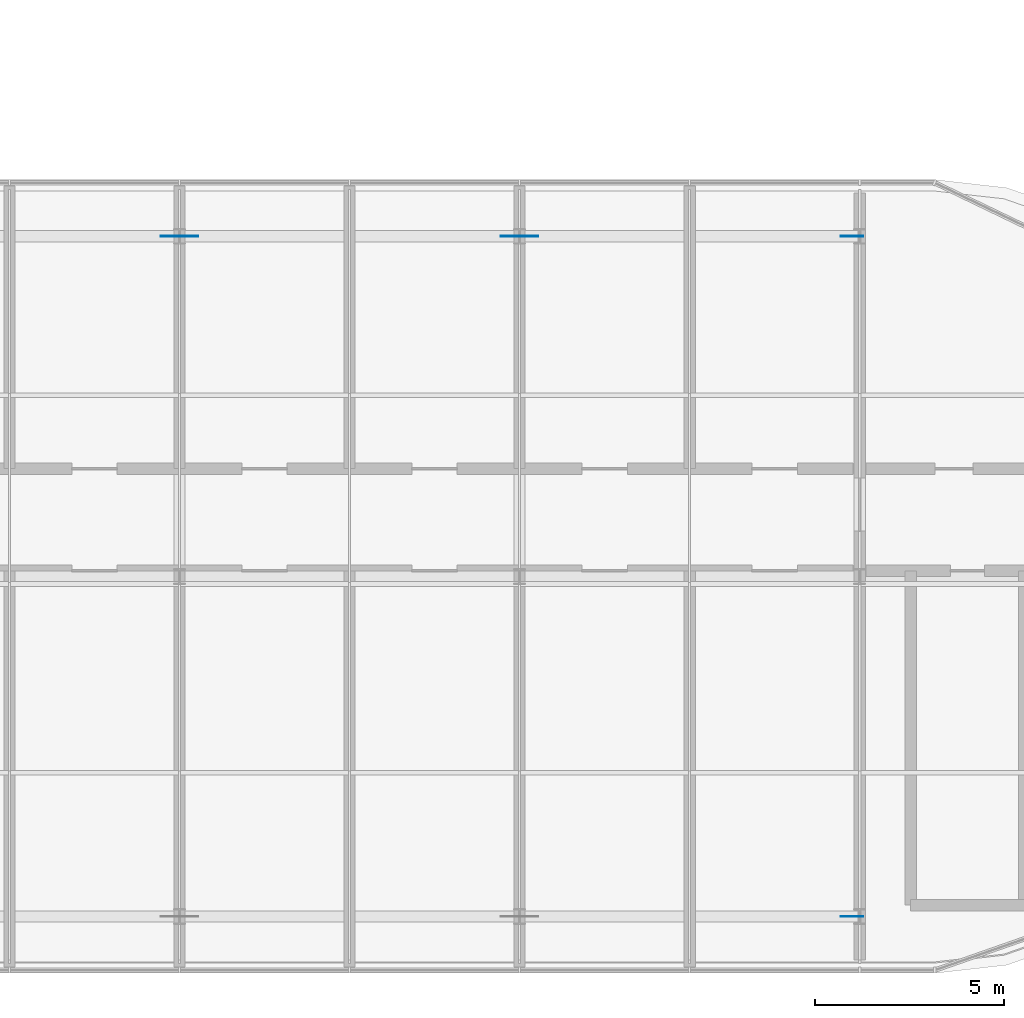
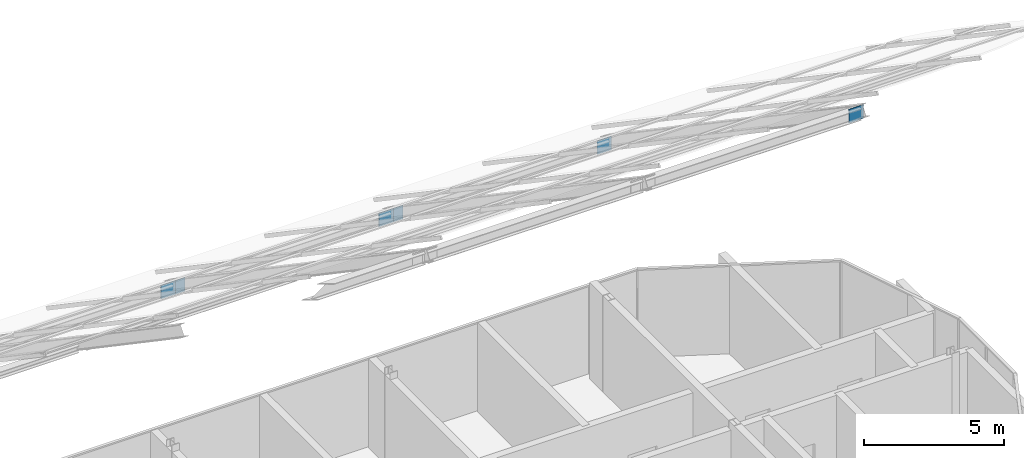
# One storey, part 24 of 25: 6 discrete accessories.
"""IFC4 building model written with IfcOpenShell, lengths in metres."""

from ifc_helpers import new_model, si_unit, direction, frame, origin, origin_2d, place, context, subcontext, project, spatial, rectangle, extrude, material, layer, layer_set, type_object, element, save


model = new_model("IFC4")

# Units and contexts
model_context = context("Model", 3, precision=1e-05, world=origin(), true_north=direction((0.0, 1.0)))
body_context = subcontext(model_context, "Body", "Model", "MODEL_VIEW")
ifc_project = project(units=[si_unit("LENGTHUNIT", "METRE"), si_unit("AREAUNIT", "SQUARE_METRE"), si_unit("VOLUMEUNIT", "CUBIC_METRE"), si_unit("PLANEANGLEUNIT", "RADIAN"), si_unit("MASSUNIT", "GRAM", prefix="KILO")], contexts=[model_context])

# Site, building, storey
site_placement = place(None, origin())
site = spatial("IfcSite", under=ifc_project, at=site_placement, CompositionType="ELEMENT")
building_placement = place(site_placement, origin())
building = spatial("IfcBuilding", under=site, at=building_placement, Name="Ogive Portal Towers", CompositionType="ELEMENT")
storey_placement = place(building_placement, frame((0.0, 0.0, 272.89990234375)))
storey = spatial("IfcBuildingStorey", under=building, at=storey_placement, Name="L66", CompositionType="ELEMENT", Elevation=272.89990234375)

# Discrete accessories
ifc_material = material(Name="Steel S355", Category="steel")
ifc_layer = layer(ifc_material, 0.02001953125)
ifc_layer_set = layer_set([ifc_layer], Name="GUSSET PLATE 600x600x20")
discrete_accessory_type = type_object("IfcDiscreteAccessoryType", Name="GUSSET PLATE 600x600x20", PredefinedType="BRACKET", material=ifc_layer_set)
for number, where, z_axis, x_axis, name in (
    (1, (85.300048828125, 21.5, 22.875), (0.0, 0.0, 1.0), (1.0, 0.0, 0.0), "Gusset plate"),
    (2, (67.300048828125, 39.5, 10.5849609375), (0.0, 0.0, 1.0), (1.0, 0.0, 0.0), "Gusset plate"),
    (3, (67.699951171875, 39.5, 10.5849609375), (0.0, 0.0, 1.0), (1.0, 0.0, 0.0), "Gusset plate"),
    (4, (76.300048828125, 39.5, 10.5849609375), (0.0, 0.0, 1.0), (1.0, 0.0, 0.0), "Gusset plate"),
    (5, (76.699951171875, 39.5, 10.5849609375), (0.0, 0.0, 1.0), (1.0, 0.0, 0.0), "Gusset plate"),
    (6, (85.300048828125, 39.5, 10.5849609375), (0.0, 0.0, 1.0), (1.0, 0.0, 0.0), "Gusset plate"),
):
    element("IfcDiscreteAccessory", number, at=place(storey_placement, frame(where, z_axis=z_axis, x_axis=x_axis)), inside=storey, type_object=discrete_accessory_type, Name=name, PredefinedType="BRACKET", context=body_context, shape_type="SweptSolid", body=[
        extrude(rectangle(XDim=0.60009765625, YDim=0.02001953125, at=origin_2d()), origin(), (0.0, 0.0, 1.0), 0.60009765625),
    ])

save(model, "model.ifc")
